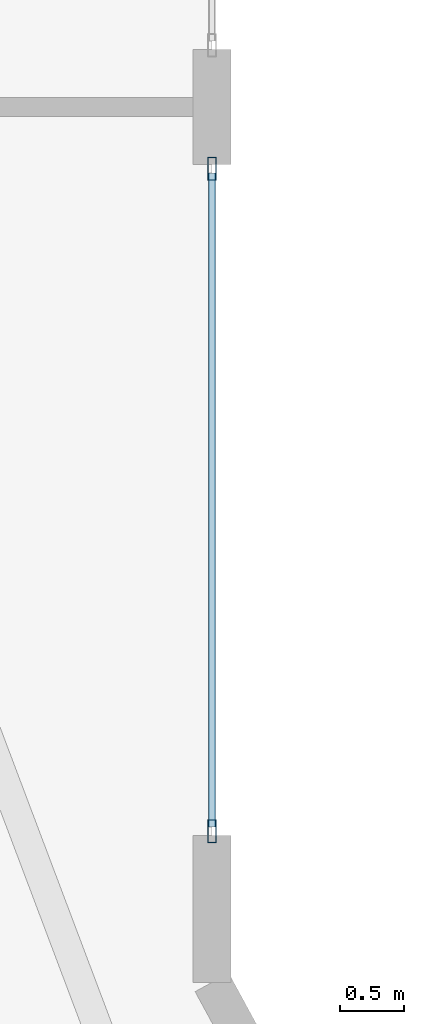
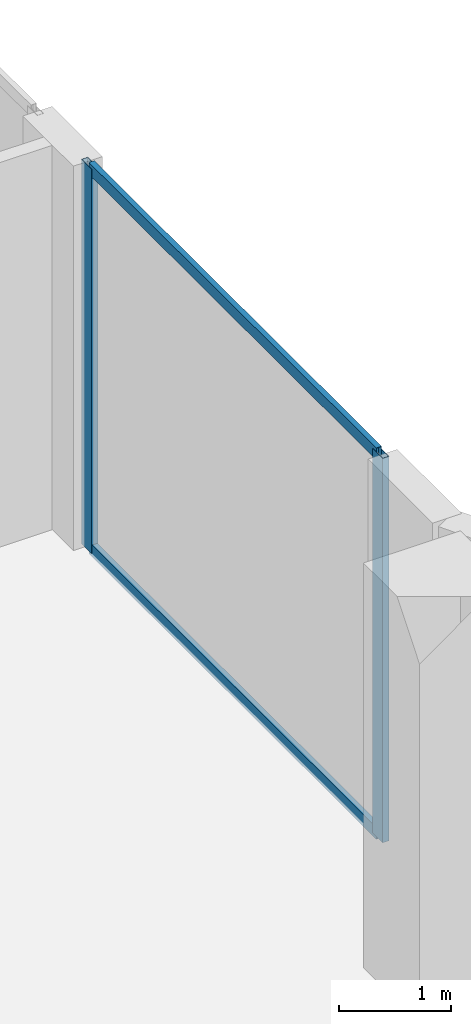
# One storey, part 10 of 23: 4 members, 1 element without a shape of its own.
"""IFC4 building model written with IfcOpenShell, lengths in metres."""

from ifc_helpers import new_model, si_unit, direction, frame, origin, origin_2d, place, context, subcontext, project, spatial, hollow_rectangle, extrude, material, layer, layer_set, material_profile, profile_set, type_object, element, aggregate, save


model = new_model("IFC4")

# Units and contexts
model_context = context("Model", 3, precision=1e-05, world=origin(), true_north=direction((0.0, 1.0)))
body_context = subcontext(model_context, "Body", "Model", "MODEL_VIEW")
ifc_project = project(units=[si_unit("LENGTHUNIT", "METRE"), si_unit("AREAUNIT", "SQUARE_METRE"), si_unit("VOLUMEUNIT", "CUBIC_METRE"), si_unit("PLANEANGLEUNIT", "RADIAN"), si_unit("MASSUNIT", "GRAM", prefix="KILO")], contexts=[model_context])

# Site, building, storey
site_placement = place(None, origin())
site = spatial("IfcSite", under=ifc_project, at=site_placement, CompositionType="ELEMENT")
building_placement = place(site_placement, origin())
building = spatial("IfcBuilding", under=site, at=building_placement, Name="Zuhayl Quay Hotel", CompositionType="ELEMENT")
storey_placement = place(building_placement, frame((0.0, 0.0, 288.449951171875)))
storey = spatial("IfcBuildingStorey", under=building, at=storey_placement, Name="L73", CompositionType="ELEMENT", Elevation=288.449951171875)

# Curtain wall, members
ifc_material_1 = material(Name="Anodised Aluminium 6063-T6", Category="aluminium")
ifc_layer = layer(ifc_material_1, 0.169921875, Name="Anodised Aluminium 6063-T6", Category="aluminium")
ifc_layer_set = layer_set([ifc_layer], Name="Anodised Aluminium 6063-T6")
curtain_wall_type = type_object("IfcCurtainWallType", Name="CW_SYS_Z4", PredefinedType="USERDEFINED", material=ifc_layer_set)
curtain_wall_placement = place(storey_placement, origin())
curtain_wall = element("IfcCurtainWall", 1, at=curtain_wall_placement, inside=storey, type_object=curtain_wall_type, Name="L73 Curtain Wall ENV_L73_E11_CW2", ObjectType="UNITISED CURTAIN WALL", PredefinedType="USERDEFINED")
ifc_material_2 = material(Name="Black-anodised aluminium 6063-T6", Category="aluminium")
ifc_material_profile_1 = material_profile(ifc_material_2, hollow_rectangle(XDim=0.06494140625, YDim=0.179931640625, WallThickness=0.00341796875, at=origin_2d()), Name="ALU180X65")
ifc_profile_set_1 = profile_set([ifc_material_profile_1], Name="Black-anodised aluminium 6063-T6")
member_type_1 = type_object("IfcMemberType", Name="MB_CW_MUL_180", PredefinedType="MULLION", material=ifc_profile_set_1)
member_1_placement = place(storey_placement, frame((20.199951171875, 30.467529296875, 0.0), z_axis=(0.0, 0.0, 1.0), x_axis=(1.0, 0.0, 0.0)))
member_1 = element("IfcMember", 2, at=member_1_placement, type_object=member_type_1, Name="CW-Z4 mullion 1", PredefinedType="MULLION", context=body_context, shape_type="SweptSolid", body=[
    extrude(hollow_rectangle(XDim=0.06494140625, YDim=0.179931640625, WallThickness=0.00341796875, at=origin_2d()), origin(), (0.0, 0.0, 1.0), 4.179931640625),
])
member_2_placement = place(storey_placement, frame((20.199951171875, 25.282470703125, 0.0), z_axis=(0.0, 0.0, 1.0), x_axis=(1.0, 0.0, 0.0)))
member_2 = element("IfcMember", 3, at=member_2_placement, type_object=member_type_1, Name="CW-Z4 mullion 2", PredefinedType="MULLION", context=body_context, shape_type="SweptSolid", body=[
    extrude(hollow_rectangle(XDim=0.06494140625, YDim=0.179931640625, WallThickness=0.00341796875, at=origin_2d()), origin(), (0.0, 0.0, 1.0), 4.179931640625),
])
ifc_material_profile_2 = material_profile(ifc_material_2, hollow_rectangle(XDim=0.054931640625, YDim=0.1298828125, WallThickness=0.0029296875, at=origin_2d()), Name="ALU130X55")
ifc_profile_set_2 = profile_set([ifc_material_profile_2], Name="Black-anodised aluminium 6063-T6")
member_type_2 = type_object("IfcMemberType", Name="MB_CW_TRN_130", PredefinedType="USERDEFINED", material=ifc_profile_set_2)
member_3_placement = place(storey_placement, frame((20.199951171875, 30.43505859375, 0.027587890625), z_axis=(0.0, -1.0, 0.0), x_axis=(1.0, 0.0, 0.0)))
member_3 = element("IfcMember", 4, at=member_3_placement, type_object=member_type_2, Name="CW-Z4 transom 1.1", ObjectType="TRANSOM", PredefinedType="USERDEFINED", context=body_context, shape_type="SweptSolid", body=[
    extrude(hollow_rectangle(XDim=0.054931640625, YDim=0.1298828125, WallThickness=0.0029296875, at=origin_2d()), origin(), (0.0, 0.0, 1.0), 5.1201171875),
])
member_4_placement = place(storey_placement, frame((20.199951171875, 30.43505859375, 4.152587890625), z_axis=(0.0, -1.0, 0.0), x_axis=(1.0, 0.0, 0.0)))
member_4 = element("IfcMember", 5, at=member_4_placement, type_object=member_type_2, Name="CW-Z4 transom 1.2", ObjectType="TRANSOM", PredefinedType="USERDEFINED", context=body_context, shape_type="SweptSolid", body=[
    extrude(hollow_rectangle(XDim=0.054931640625, YDim=0.1298828125, WallThickness=0.0029296875, at=origin_2d()), origin(), (0.0, 0.0, 1.0), 5.1201171875),
])
aggregate(curtain_wall, [member_1, member_2, member_3, member_4])

save(model, "model.ifc")
